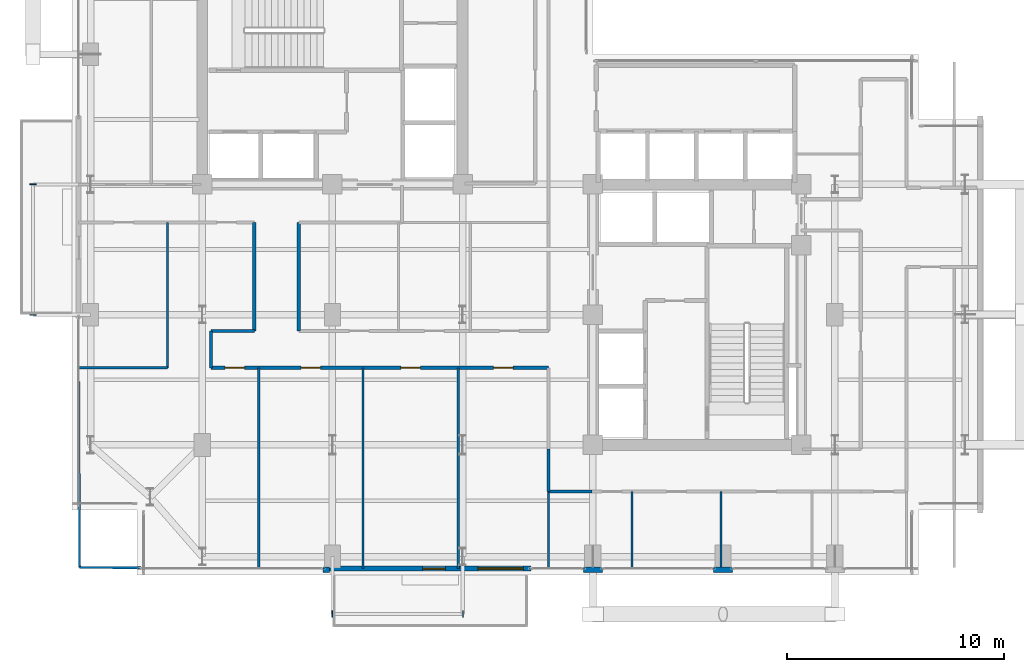
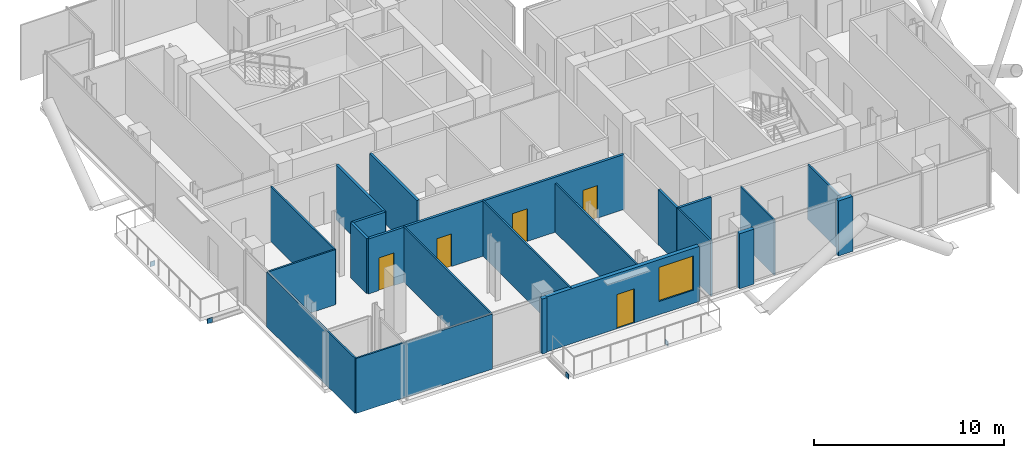
# One storey, part 16 of 22: 21 walls, 5 doors, 4 plates, 1 window, 6 openings.
"""IFC4 building model written with IfcOpenShell, lengths in metres."""

from ifc_helpers import new_model, si_unit, direction, frame, frame_2d, origin, origin_2d, place, context, subcontext, project, spatial, rectangle, extrude, material, layer, layer_set, type_object, element, fill, save


model = new_model("IFC4")

# Units and contexts
model_context = context("Model", 3, precision=1e-05, world=origin(), true_north=direction((0.0, 1.0)))
body_context = subcontext(model_context, "Body", "Model", "MODEL_VIEW")
ifc_project = project(units=[si_unit("LENGTHUNIT", "METRE"), si_unit("AREAUNIT", "SQUARE_METRE"), si_unit("VOLUMEUNIT", "CUBIC_METRE"), si_unit("PLANEANGLEUNIT", "RADIAN"), si_unit("MASSUNIT", "GRAM", prefix="KILO"), si_unit("THERMODYNAMICTEMPERATUREUNIT", "KELVIN"), si_unit("POWERUNIT", "WATT")], contexts=[model_context])

# Site, building, storey
site_placement = place(None, origin())
site = spatial("IfcSite", under=ifc_project, at=site_placement, CompositionType="ELEMENT")
building_placement = place(site_placement, origin())
building = spatial("IfcBuilding", under=site, at=building_placement, Name="Svarakhadi Broadcast Tower", CompositionType="ELEMENT")
storey_placement = place(building_placement, frame((0.0, 0.0, 191.699951171875)))
storey = spatial("IfcBuildingStorey", under=building, at=storey_placement, Name="L47", CompositionType="ELEMENT", Elevation=191.699951171875)

# Plates
ifc_material_1 = material(Name="Steel S460ML (IS 2062 E450BR)", Category="steel")
ifc_layer_1 = layer(ifc_material_1, 0.028076171875)
ifc_layer_set_1 = layer_set([ifc_layer_1], Name="Steel S460ML (IS 2062 E450BR)")
plate_type = type_object("IfcPlateType", Name="Cap_Plate_CP02", PredefinedType="USERDEFINED", material=ifc_layer_set_1)
for number, where, z_axis, x_axis, name in (
    (1, (11.985107421875, -1.800048828125, -0.5048828125), (0.0, 0.0, 1.0), (1.0, 0.0, 0.0), "L47 Balcony Spandrel End Cap Plate 1F-A"),
    (2, (18.014892578125, -1.800048828125, -0.5048828125), (0.0, 0.0, 1.0), (1.0, 0.0, 0.0), "L47 Balcony Spandrel End Cap Plate 1F-B"),
):
    element("IfcPlate", number, at=place(storey_placement, frame(where, z_axis=z_axis, x_axis=x_axis)), inside=storey, type_object=plate_type, Name=name, ObjectType="FLANGE_PLATE", PredefinedType="USERDEFINED", context=body_context, shape_type="SweptSolid", body=[
        extrude(rectangle(XDim=0.0400390625, YDim=0.300048828125, at=origin_2d()), origin(), (0.0, 0.0, 1.0), 0.31005859375),
    ])
for number, where, z_axis, x_axis, name in (
    (3, (-1.800048828125, 11.985107421875, -0.5048828125), (0.0, 0.0, 1.0), (1.0, 0.0, 0.0), "L47 Balcony Spandrel End Cap Plate 2F-A"),
    (4, (-1.800048828125, 18.014892578125, -0.5048828125), (0.0, 0.0, 1.0), (1.0, 0.0, 0.0), "L47 Balcony Spandrel End Cap Plate 2F-B"),
):
    element("IfcPlate", number, at=place(storey_placement, frame(where, z_axis=z_axis, x_axis=x_axis)), inside=storey, type_object=plate_type, Name=name, ObjectType="FLANGE_PLATE", PredefinedType="USERDEFINED", context=body_context, shape_type="SweptSolid", body=[
        extrude(rectangle(XDim=0.300048828125, YDim=0.0400390625, at=origin_2d()), origin(), (0.0, 0.0, 1.0), 0.31005859375),
    ])

# Wall, openings, door, window
ifc_material_2 = material(Name="Concrete C40/50 (IS 456 M50)", Category="concrete")
ifc_layer_2 = layer(ifc_material_2, 0.239990234375)
ifc_layer_set_2 = layer_set([ifc_layer_2], Name="Concrete C40/50 (IS 456 M50)")
wall_type_1 = type_object("IfcWallType", Name="Wall_Ext_240", PredefinedType="SOLIDWALL", material=ifc_layer_set_2)
wall_1_placement = place(storey_placement, frame((21.14501953125, 0.300048828125, 0.0), z_axis=(0.0, 0.0, 1.0), x_axis=(-1.0, 0.0, 0.0)))
wall_1 = element("IfcWall", 5, at=wall_1_placement, inside=storey, type_object=wall_type_1, Name="L47 South Tree Balcony Spandrel Wall", PredefinedType="SOLIDWALL", context=body_context, shape_type="SweptSolid", body=[
    extrude(rectangle(XDim=9.2900390625, YDim=0.239990234375, at=frame_2d((4.64501953125, 0.0))), origin(), (0.0, 0.0, 1.0), 3.5400390625),
])
opening_1_placement = place(wall_1_placement, frame((3.945068359375, 0.0, 0.0)))
opening_1 = element("IfcOpeningElement", 6, at=opening_1_placement, cuts=wall_1, Name="Opening ED-05", PredefinedType="OPENING", context=body_context, shape_type="SweptSolid", body=[
    extrude(rectangle(XDim=1.050048828125, YDim=2.199951171875, at=frame_2d((0.52490234375, 1.10009765625))), frame((0.0, 0.1298828125, 0.0), z_axis=(0.0, -1.0, 0.0), x_axis=(1.0, 0.0, 0.0)), (0.0, 0.0, 1.0), 0.260009765625),
])
opening_2_placement = place(wall_1_placement, frame((0.35009765625, 0.0, 0.85009765625)))
opening_2 = element("IfcOpeningElement", 7, at=opening_2_placement, cuts=wall_1, Name="Opening WN-06", PredefinedType="OPENING", context=body_context, shape_type="SweptSolid", body=[
    extrude(rectangle(XDim=2.10009765625, YDim=2.199951171875, at=frame_2d((1.050048828125, 1.10009765625))), frame((0.0, 0.1298828125, 0.0), z_axis=(0.0, -1.0, 0.0), x_axis=(1.0, 0.0, 0.0)), (0.0, 0.0, 1.0), 0.260009765625),
])
ifc_material_3 = material(Name="Anodised Bronze Aluminium AA 6063-T6", Category="aluminium")
door_type_1 = type_object("IfcDoorType", Name="Door_Ext_ED05", OperationType="SINGLE_SWING_LEFT", PredefinedType="DOOR", material=ifc_material_3)
door_1_placement = place(opening_1_placement, origin())
door_1 = element("IfcDoor", 8, at=door_1_placement, inside=storey, type_object=door_type_1, Name="L47 South Tree Balcony Door", OperationType="SINGLE_SWING_LEFT", OverallHeight=2.199951171875, OverallWidth=1.050048828125, PredefinedType="DOOR", context=body_context, shape_type="SweptSolid", body=[
    extrude(rectangle(XDim=1.050048828125, YDim=2.199951171875, at=frame_2d((0.52490234375, 1.10009765625))), frame((0.0, 0.02490234375, 0.0), z_axis=(0.0, -1.0, 0.0), x_axis=(1.0, 0.0, 0.0)), (0.0, 0.0, 1.0), 0.050048828125),
])
fill(opening_1, door_1)
ifc_material_4 = material(Name="Double Low-E Laminated Acoustic Glass IGU 36 mm", Category="glass")
window_type = type_object("IfcWindowType", Name="Win_Hotel_WN06", PartitioningType="SINGLE_PANEL", PredefinedType="WINDOW", material=ifc_material_4)
window_placement = place(opening_2_placement, origin())
window = element("IfcWindow", 9, at=window_placement, inside=storey, type_object=window_type, Name="L47 South Tree Balcony Window", OverallHeight=2.199951171875, OverallWidth=2.10009765625, PartitioningType="SINGLE_PANEL", PredefinedType="WINDOW", context=body_context, shape_type="SweptSolid", body=[
    extrude(rectangle(XDim=2.10009765625, YDim=2.199951171875, at=frame_2d((1.050048828125, 1.10009765625))), frame((0.0, 0.030029296875, 0.0), z_axis=(0.0, -1.0, 0.0), x_axis=(1.0, 0.0, 0.0)), (0.0, 0.0, 1.0), 0.06005859375),
])
fill(opening_2, window)

# Walls
for number, where, z_axis, x_axis, name in (
    (10, (30.43994140625, 0.239990234375, 0.0), (0.0, 0.0, 1.0), (-1.0, 0.0, 0.0), "L47 Perimeter Bronze Spandrel Closure Wall 04"),
    (11, (24.43994140625, 0.239990234375, 0.0), (0.0, 0.0, 1.0), (-1.0, 0.0, 0.0), "L47 Perimeter Bronze Spandrel Closure Wall 05"),
):
    element("IfcWall", number, at=place(storey_placement, frame(where, z_axis=z_axis, x_axis=x_axis)), inside=storey, type_object=wall_type_1, Name=name, PredefinedType="SOLIDWALL", context=body_context, shape_type="SweptSolid", body=[
        extrude(rectangle(XDim=0.8798828125, YDim=0.239990234375, at=frame_2d((0.43994140625, 0.0))), origin(), (0.0, 0.0, 1.0), 3.5400390625),
    ])
wall_2_placement = place(storey_placement, frame((11.85498046875, 0.239990234375, 0.0), z_axis=(0.0, 0.0, 1.0), x_axis=(-1.0, 0.0, 0.0)))
element("IfcWall", 12, at=wall_2_placement, inside=storey, type_object=wall_type_1, Name="L47 Perimeter Bronze Spandrel Closure Wall 06", PredefinedType="SOLIDWALL", context=body_context, shape_type="SweptSolid", body=[
    extrude(rectangle(XDim=0.294921875, YDim=0.239990234375, at=frame_2d((0.1474609375, 0.0))), origin(), (0.0, 0.0, 1.0), 3.5400390625),
])
ifc_material_5 = material(Name="Fire-Rated Moisture-Resistant Gypsum Board Partition", Category="gypsum")
ifc_layer_3 = layer(ifc_material_5, 0.10009765625)
ifc_layer_set_3 = layer_set([ifc_layer_3], Name="Fire-Rated Moisture-Resistant Gypsum Board Partition")
wall_type_2 = type_object("IfcWallType", Name="Wall_Part_100", PredefinedType="PARTITIONING", material=ifc_layer_set_3)
for number, where, z_axis, x_axis, name in (
    (13, (21.949951171875, 0.300048828125, 0.0), (0.0, 0.0, 1.0), (0.0, 1.0, 0.0), "L47 Hotel Business Centre Office Wall"),
    (14, (25.800048828125, 0.300048828125, 0.0), (0.0, 0.0, 1.0), (0.0, 1.0, 0.0), "L47 Hotel Business Centre Office Wall"),
    (15, (29.89990234375, 0.300048828125, 0.0), (0.0, 0.0, 1.0), (0.0, 1.0, 0.0), "L47 Private Dining Salon Wall"),
):
    element("IfcWall", number, at=place(storey_placement, frame(where, z_axis=z_axis, x_axis=x_axis)), inside=storey, type_object=wall_type_2, Name=name, PredefinedType="PARTITIONING", context=body_context, shape_type="SweptSolid", body=[
        extrude(rectangle(XDim=3.550048828125, YDim=0.10009765625, at=frame_2d((1.77490234375, 0.0))), origin(), (0.0, 0.0, 1.0), 3.5400390625),
    ])
wall_3_placement = place(storey_placement, frame((0.35009765625, 0.35009765625, 0.0), z_axis=(0.0, 0.0, 1.0), x_axis=(0.999981599147, -0.006066412992, 0.0)))
element("IfcWall", 16, at=wall_3_placement, inside=storey, type_object=wall_type_2, Name="L47 Ayurvedic Hydrotherapy Vitality Suite Wall", PredefinedType="PARTITIONING", context=body_context, shape_type="SweptSolid", body=[
    extrude(rectangle(XDim=8.250244140625, YDim=0.10009765625, at=frame_2d((4.125, 0.0))), origin(), (0.0, 0.0, 1.0), 3.5400390625),
])
wall_4_placement = place(storey_placement, frame((0.35009765625, 0.35009765625, 0.0), z_axis=(0.0, 0.0, 1.0), x_axis=(-0.005440038388, 0.999985202882, 0.0)))
element("IfcWall", 17, at=wall_4_placement, inside=storey, type_object=wall_type_2, Name="L47 Ayurvedic Hydrotherapy Vitality Suite Wall", PredefinedType="PARTITIONING", context=body_context, shape_type="SweptSolid", body=[
    extrude(rectangle(XDim=9.2001953125, YDim=0.10009765625, at=frame_2d((4.60009765625, 0.0))), origin(), (0.0, 0.0, 1.0), 3.5400390625),
])
for number, where, z_axis, x_axis, name in (
    (18, (8.60009765625, 0.300048828125, 0.0), (0.0, 0.0, 1.0), (0.0, 1.0, 0.0), "L47 Ayurvedic Hydrotherapy Vitality Suite Wall"),
    (19, (13.39990234375, 0.300048828125, 0.0), (0.0, 0.0, 1.0), (0.0, 1.0, 0.0), "L47 Thermal Thalassotherapy Salon Wall"),
):
    element("IfcWall", number, at=place(storey_placement, frame(where, z_axis=z_axis, x_axis=x_axis)), inside=storey, type_object=wall_type_2, Name=name, PredefinedType="PARTITIONING", context=body_context, shape_type="SweptSolid", body=[
        extrude(rectangle(XDim=9.25, YDim=0.10009765625, at=frame_2d((4.625, 0.0))), origin(), (0.0, 0.0, 1.0), 3.5400390625),
    ])
wall_5_placement = place(storey_placement, frame((17.800048828125, 0.300048828125, 0.0), z_axis=(0.0, 0.0, 1.0), x_axis=(0.0, 1.0, 0.0)))
element("IfcWall", 20, at=wall_5_placement, inside=storey, type_object=wall_type_2, Name="L47 Altitude Cardio Training Studio Wall", PredefinedType="PARTITIONING", context=body_context, shape_type="SweptSolid", body=[
    extrude(rectangle(XDim=9.25, YDim=0.10009765625, at=frame_2d((4.625, 0.0))), origin(), (0.0, 0.0, 1.0), 3.132080078125),
])
wall_6_placement = place(storey_placement, frame((0.300048828125, 9.550048828125, 0.0), z_axis=(0.0, 0.0, 1.0), x_axis=(1.0, 0.0, 0.0)))
element("IfcWall", 21, at=wall_6_placement, inside=storey, type_object=wall_type_2, Name="L47 Aromatherapy Treatment Room Wall", PredefinedType="PARTITIONING", context=body_context, shape_type="SweptSolid", body=[
    extrude(rectangle(XDim=4.099853515625, YDim=0.10009765625, at=frame_2d((2.0498046875, 0.0))), origin(), (0.0, 0.0, 1.0), 3.5400390625),
])
wall_7_placement = place(storey_placement, frame((4.39990234375, 9.550048828125, 0.0), z_axis=(0.0, 0.0, 1.0), x_axis=(0.0, 1.0, 0.0)))
element("IfcWall", 22, at=wall_7_placement, inside=storey, type_object=wall_type_2, Name="L47 Aromatherapy Treatment Room Wall", PredefinedType="PARTITIONING", context=body_context, shape_type="SweptSolid", body=[
    extrude(rectangle(XDim=6.699951171875, YDim=0.10009765625, at=frame_2d((3.35009765625, 0.0))), origin(), (0.0, 0.0, 1.0), 3.5400390625),
])
ifc_material_6 = material(Name="Autoclaved Aerated Concrete Blockwork 150 mm", Category="masonry")
ifc_layer_4 = layer(ifc_material_6, 0.14990234375)
ifc_layer_set_4 = layer_set([ifc_layer_4], Name="Autoclaved Aerated Concrete Blockwork 150 mm")
wall_type_3 = type_object("IfcWallType", Name="Wall_Part_150", PredefinedType="PARTITIONING", material=ifc_layer_set_4)
wall_8_placement = place(storey_placement, frame((23.949951171875, 3.85009765625, 0.0), z_axis=(0.0, 0.0, 1.0), x_axis=(-1.0, 0.0, 0.0)))
element("IfcWall", 23, at=wall_8_placement, inside=storey, type_object=wall_type_3, Name="L47 Zone 2/3 Corridor Wall", PredefinedType="PARTITIONING", context=body_context, shape_type="SweptSolid", body=[
    extrude(rectangle(XDim=2.0, YDim=0.14990234375, at=frame_2d((1.0, 0.0))), origin(), (0.0, 0.0, 1.0), 3.5400390625),
])
wall_9_placement = place(storey_placement, frame((21.949951171875, 3.85009765625, 0.0), z_axis=(0.0, 0.0, 1.0), x_axis=(0.0, 1.0, 0.0)))
element("IfcWall", 24, at=wall_9_placement, inside=storey, type_object=wall_type_3, Name="L47 Zone 2/3 Corridor Wall", PredefinedType="PARTITIONING", context=body_context, shape_type="SweptSolid", body=[
    extrude(rectangle(XDim=1.949951171875, YDim=0.14990234375, at=frame_2d((0.97509765625, 0.0))), origin(), (0.0, 0.0, 1.0), 3.5400390625),
])

# Wall, openings, doors
wall_10_placement = place(storey_placement, frame((21.949951171875, 9.550048828125, 0.0), z_axis=(0.0, 0.0, 1.0), x_axis=(-1.0, 0.0, 0.0)))
wall_10 = element("IfcWall", 25, at=wall_10_placement, inside=storey, type_object=wall_type_3, Name="L47 Zone 2/3 Corridor Wall", PredefinedType="PARTITIONING", context=body_context, shape_type="SweptSolid", body=[
    extrude(rectangle(XDim=15.550048828125, YDim=0.14990234375, at=frame_2d((7.77490234375, 0.0))), origin(), (0.0, 0.0, 1.0), 3.5400390625),
])
opening_3_placement = place(wall_10_placement, frame((14.0, 0.0, 0.0)))
opening_3 = element("IfcOpeningElement", 26, at=opening_3_placement, cuts=wall_10, Name="Opening D-15", PredefinedType="OPENING", context=body_context, shape_type="SweptSolid", body=[
    extrude(rectangle(XDim=0.89990234375, YDim=2.10009765625, at=frame_2d((0.449951171875, 1.050048828125))), frame((0.0, 0.0849609375, 0.0), z_axis=(0.0, -1.0, 0.0), x_axis=(1.0, 0.0, 0.0)), (0.0, 0.0, 1.0), 0.169921875),
])
opening_4_placement = place(wall_10_placement, frame((10.5, 0.0, 0.0)))
opening_4 = element("IfcOpeningElement", 27, at=opening_4_placement, cuts=wall_10, Name="Opening D-14", PredefinedType="OPENING", context=body_context, shape_type="SweptSolid", body=[
    extrude(rectangle(XDim=0.89990234375, YDim=2.10009765625, at=frame_2d((0.449951171875, 1.050048828125))), frame((0.0, 0.0849609375, 0.0), z_axis=(0.0, -1.0, 0.0), x_axis=(1.0, 0.0, 0.0)), (0.0, 0.0, 1.0), 0.169921875),
])
opening_5_placement = place(wall_10_placement, frame((5.89990234375, 0.0, 0.0)))
opening_5 = element("IfcOpeningElement", 28, at=opening_5_placement, cuts=wall_10, Name="Opening D-15", PredefinedType="OPENING", context=body_context, shape_type="SweptSolid", body=[
    extrude(rectangle(XDim=0.89990234375, YDim=2.10009765625, at=frame_2d((0.449951171875, 1.050048828125))), frame((0.0, 0.0849609375, 0.0), z_axis=(0.0, -1.0, 0.0), x_axis=(1.0, 0.0, 0.0)), (0.0, 0.0, 1.0), 0.169921875),
])
opening_6_placement = place(wall_10_placement, frame((1.625, 0.0, 0.0)))
opening_6 = element("IfcOpeningElement", 29, at=opening_6_placement, cuts=wall_10, Name="Opening D-14", PredefinedType="OPENING", context=body_context, shape_type="SweptSolid", body=[
    extrude(rectangle(XDim=0.89990234375, YDim=2.10009765625, at=frame_2d((0.449951171875, 1.050048828125))), frame((0.0, 0.0849609375, 0.0), z_axis=(0.0, -1.0, 0.0), x_axis=(1.0, 0.0, 0.0)), (0.0, 0.0, 1.0), 0.169921875),
])
ifc_material_7 = material(Name="Solid-Core Teak Veneer Acoustic Timber Leaf", Category="wood")
door_type_2 = type_object("IfcDoorType", Name="Door_Int_D14", OperationType="SINGLE_SWING_LEFT", PredefinedType="DOOR", material=ifc_material_7)
door_2_placement = place(opening_4_placement, origin())
door_2 = element("IfcDoor", 30, at=door_2_placement, inside=storey, type_object=door_type_2, Name="L47 Thermal Thalassotherapy Salon Door", OperationType="SINGLE_SWING_LEFT", OverallHeight=2.10009765625, OverallWidth=0.89990234375, PredefinedType="DOOR", context=body_context, shape_type="SweptSolid", body=[
    extrude(rectangle(XDim=0.89990234375, YDim=2.10009765625, at=frame_2d((0.449951171875, 1.050048828125))), frame((0.0, 0.02490234375, 0.0), z_axis=(0.0, -1.0, 0.0), x_axis=(1.0, 0.0, 0.0)), (0.0, 0.0, 1.0), 0.050048828125),
])
fill(opening_4, door_2)
door_3_placement = place(opening_6_placement, origin())
door_3 = element("IfcDoor", 31, at=door_3_placement, inside=storey, type_object=door_type_2, Name="L47 Wellness Director Consultation Office Door", OperationType="SINGLE_SWING_LEFT", OverallHeight=2.10009765625, OverallWidth=0.89990234375, PredefinedType="DOOR", context=body_context, shape_type="SweptSolid", body=[
    extrude(rectangle(XDim=0.89990234375, YDim=2.10009765625, at=frame_2d((0.449951171875, 1.050048828125))), frame((0.0, 0.02490234375, 0.0), z_axis=(0.0, -1.0, 0.0), x_axis=(1.0, 0.0, 0.0)), (0.0, 0.0, 1.0), 0.050048828125),
])
fill(opening_6, door_3)
door_type_3 = type_object("IfcDoorType", Name="Door_Int_D15", OperationType="SINGLE_SWING_RIGHT", PredefinedType="DOOR", material=ifc_material_7)
door_4_placement = place(opening_3_placement, origin())
door_4 = element("IfcDoor", 32, at=door_4_placement, inside=storey, type_object=door_type_3, Name="L47 Ayurvedic Hydrotherapy Vitality Suite Door", OperationType="SINGLE_SWING_RIGHT", OverallHeight=2.10009765625, OverallWidth=0.89990234375, PredefinedType="DOOR", context=body_context, shape_type="SweptSolid", body=[
    extrude(rectangle(XDim=0.89990234375, YDim=2.10009765625, at=frame_2d((0.449951171875, 1.050048828125))), frame((0.0, 0.02490234375, 0.0), z_axis=(0.0, -1.0, 0.0), x_axis=(1.0, 0.0, 0.0)), (0.0, 0.0, 1.0), 0.050048828125),
])
fill(opening_3, door_4)
door_5_placement = place(opening_5_placement, origin())
door_5 = element("IfcDoor", 33, at=door_5_placement, inside=storey, type_object=door_type_3, Name="L47 Altitude Cardio Training Studio Door", OperationType="SINGLE_SWING_RIGHT", OverallHeight=2.10009765625, OverallWidth=0.89990234375, PredefinedType="DOOR", context=body_context, shape_type="SweptSolid", body=[
    extrude(rectangle(XDim=0.89990234375, YDim=2.10009765625, at=frame_2d((0.449951171875, 1.050048828125))), frame((0.0, 0.02490234375, 0.0), z_axis=(0.0, -1.0, 0.0), x_axis=(1.0, 0.0, 0.0)), (0.0, 0.0, 1.0), 0.050048828125),
])
fill(opening_5, door_5)

# Walls
wall_11_placement = place(storey_placement, frame((6.39990234375, 9.550048828125, 0.0), z_axis=(0.0, 0.0, 1.0), x_axis=(0.0, 1.0, 0.0)))
element("IfcWall", 34, at=wall_11_placement, inside=storey, type_object=wall_type_3, Name="L47 Zone 2/3 Corridor Wall", PredefinedType="PARTITIONING", context=body_context, shape_type="SweptSolid", body=[
    extrude(rectangle(XDim=1.699951171875, YDim=0.14990234375, at=frame_2d((0.85009765625, 0.0))), origin(), (0.0, 0.0, 1.0), 3.5400390625),
])
wall_12_placement = place(storey_placement, frame((6.39990234375, 11.25, 0.0), z_axis=(0.0, 0.0, 1.0), x_axis=(1.0, 0.0, 0.0)))
element("IfcWall", 35, at=wall_12_placement, inside=storey, type_object=wall_type_3, Name="L47 Zone 2/3 Corridor Wall", PredefinedType="PARTITIONING", context=body_context, shape_type="SweptSolid", body=[
    extrude(rectangle(XDim=2.0, YDim=0.14990234375, at=frame_2d((1.0, 0.0))), origin(), (0.0, 0.0, 1.0), 3.5400390625),
])
for number, where, z_axis, x_axis, name in (
    (36, (8.39990234375, 11.25, 0.0), (0.0, 0.0, 1.0), (0.0, 1.0, 0.0), "L47 Zone 2/3 Corridor Wall"),
    (37, (10.449951171875, 16.25, 0.0), (0.0, 0.0, 1.0), (0.0, -1.0, 0.0), "L47 Zone 2/3 Corridor Wall"),
):
    element("IfcWall", number, at=place(storey_placement, frame(where, z_axis=z_axis, x_axis=x_axis)), inside=storey, type_object=wall_type_3, Name=name, PredefinedType="PARTITIONING", context=body_context, shape_type="SweptSolid", body=[
        extrude(rectangle(XDim=5.0, YDim=0.14990234375, at=frame_2d((2.5, 0.0))), origin(), (0.0, 0.0, 1.0), 3.5400390625),
    ])

save(model, "model.ifc")
